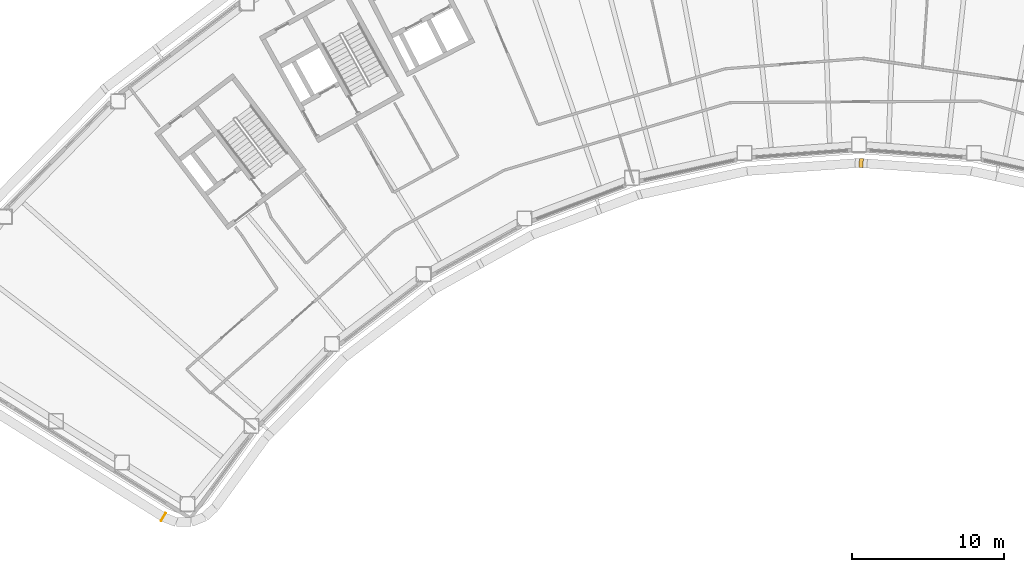
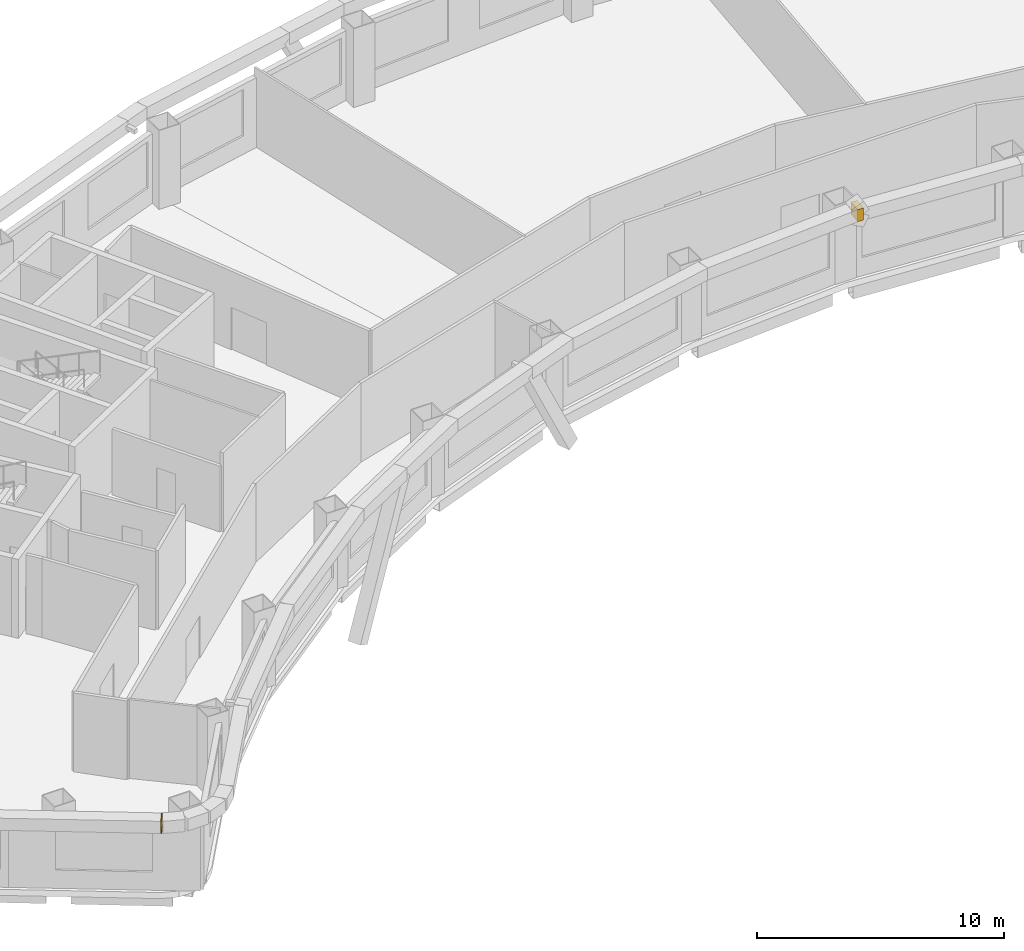
# One storey, part 13 of 13: 2 coverings.
"""IFC4 building model written with IfcOpenShell, lengths in metres."""

from ifc_helpers import new_model, si_unit, direction, frame, origin, origin_2d, place, context, subcontext, project, spatial, rectangle, extrude, material, material_profile, profile_set, type_object, element, save


model = new_model("IFC4")

# Units and contexts
model_context = context("Model", 3, precision=1e-05, world=origin(), true_north=direction((0.0, 1.0)))
body_context = subcontext(model_context, "Body", "Model", "MODEL_VIEW")
ifc_project = project(units=[si_unit("LENGTHUNIT", "METRE"), si_unit("AREAUNIT", "SQUARE_METRE"), si_unit("VOLUMEUNIT", "CUBIC_METRE"), si_unit("PLANEANGLEUNIT", "RADIAN"), si_unit("MASSUNIT", "GRAM", prefix="KILO")], contexts=[model_context])

# Site, building, storey
site_placement = place(None, origin())
site = spatial("IfcSite", under=ifc_project, at=site_placement, CompositionType="ELEMENT")
building_placement = place(site_placement, origin())
building = spatial("IfcBuilding", under=site, at=building_placement, Name="Tuul Gate Civic Tower", CompositionType="ELEMENT")
storey_placement = place(building_placement, frame((0.0, 0.0, 150.800048828125)))
storey = spatial("IfcBuildingStorey", under=building, at=storey_placement, Name="Level 34", CompositionType="ELEMENT", Elevation=150.800048828125)

# Coverings
ifc_material = material(Name="Terracotta baguette", Category="masonry")
ifc_material_profile = material_profile(ifc_material, rectangle(XDim=0.60009765625, YDim=0.60009765625, at=origin_2d()), Name="Terracotta baguette screen frame")
ifc_profile_set = profile_set([ifc_material_profile], Name="Terracotta baguette")
covering_type = type_object("IfcCoveringType", Name="Terracotta baguette screen frame", PredefinedType="CLADDING", material=ifc_profile_set)
covering_1_placement = place(storey_placement, frame((-40.554931640625, -36.6748046875, 3.849853515625), z_axis=(0.848261487435, -0.529577613702, 0.0), x_axis=(0.529577613702, 0.848261487435, 0.0)))
element("IfcCovering", 1, at=covering_1_placement, inside=storey, type_object=covering_type, Name="Baguette 164", PredefinedType="CLADDING", context=body_context, shape_type="SweptSolid", body=[
    extrude(rectangle(XDim=0.60009765625, YDim=0.60009765625, at=origin_2d()), origin(), (0.0, 0.0, 1.0), 0.052001953125),
])
covering_2_placement = place(storey_placement, frame((5.3740234375, -13.326904296875, 3.849853515625), z_axis=(0.997368261677, -0.072502073076, 0.0), x_axis=(0.072502073076, 0.997368261677, 0.0)))
element("IfcCovering", 2, at=covering_2_placement, inside=storey, type_object=covering_type, Name="Baguette 354", PredefinedType="CLADDING", context=body_context, shape_type="SweptSolid", body=[
    extrude(rectangle(XDim=0.60009765625, YDim=0.60009765625, at=origin_2d()), origin(), (0.0, 0.0, 1.0), 0.2626953125),
])

save(model, "model.ifc")
